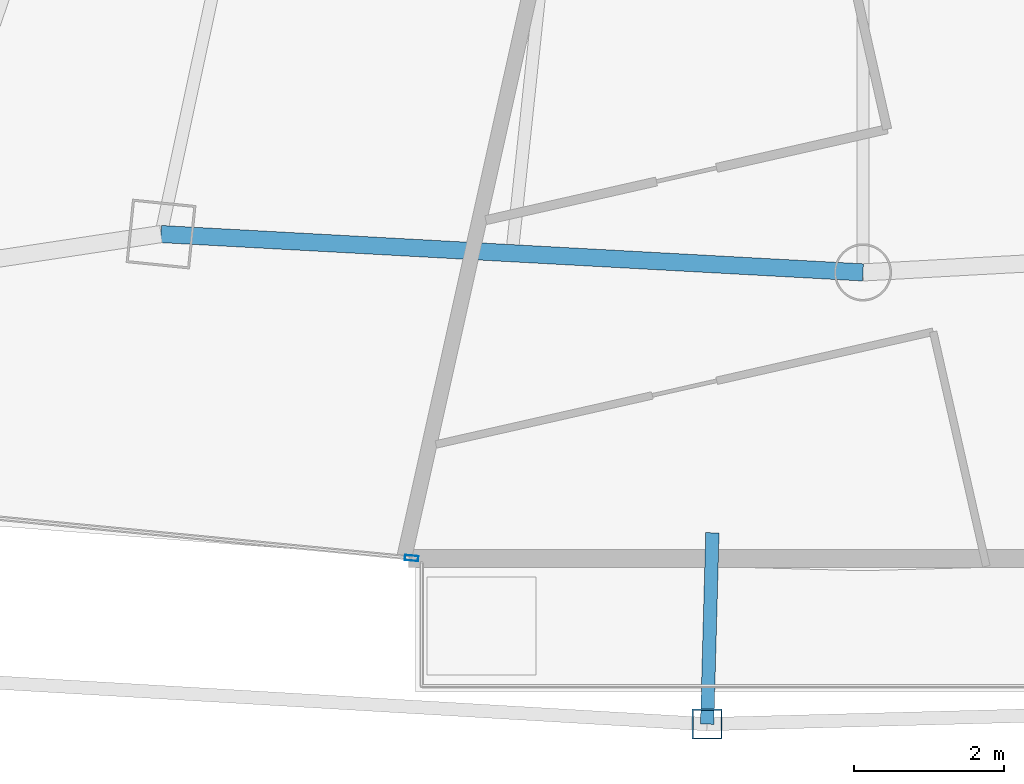
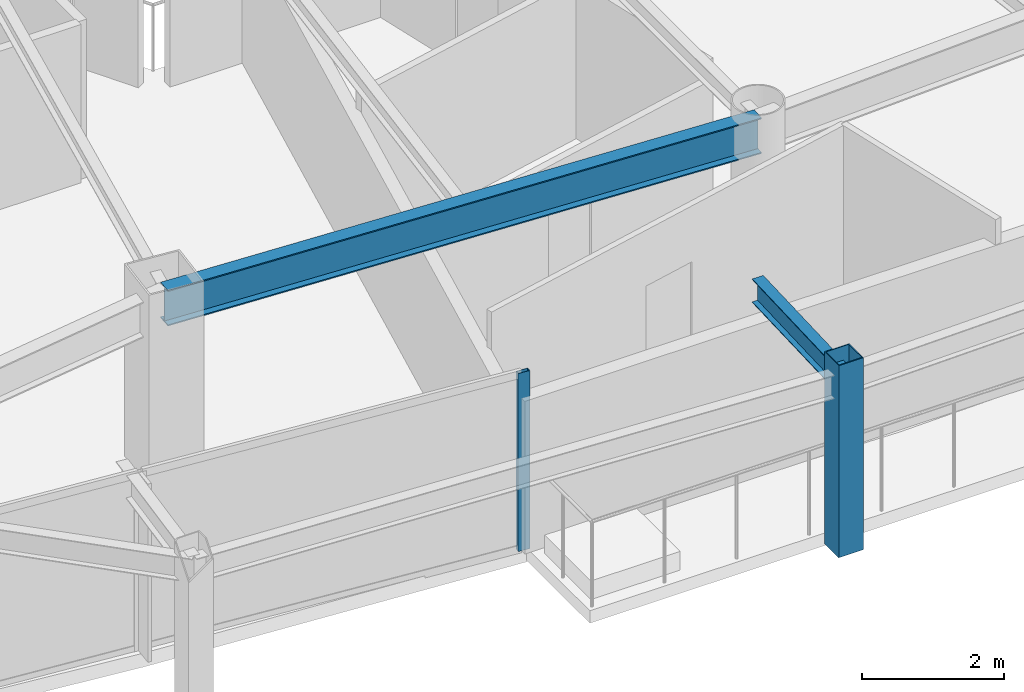
# One storey, part 7 of 33: 2 beams, 2 members, 1 element without a shape of its own.
"""IFC4 building model written with IfcOpenShell, lengths in metres."""

from ifc_helpers import new_model, si_unit, direction, frame, origin, origin_2d, place, context, subcontext, project, spatial, hollow_rectangle, i_section, extrude, material, layer, layer_set, material_profile, profile_set, type_object, element, aggregate, save


model = new_model("IFC4")

# Units and contexts
model_context = context("Model", 3, precision=1e-05, world=origin(), true_north=direction((0.0, 1.0)))
body_context = subcontext(model_context, "Body", "Model", "MODEL_VIEW")
ifc_project = project(units=[si_unit("LENGTHUNIT", "METRE"), si_unit("AREAUNIT", "SQUARE_METRE"), si_unit("VOLUMEUNIT", "CUBIC_METRE"), si_unit("PLANEANGLEUNIT", "RADIAN"), si_unit("MASSUNIT", "GRAM", prefix="KILO")], contexts=[model_context])

# Site, building, storey
site_placement = place(None, origin())
site = spatial("IfcSite", under=ifc_project, at=site_placement, CompositionType="ELEMENT")
building_placement = place(site_placement, origin())
building = spatial("IfcBuilding", under=site, at=building_placement, Name="Orvanel Arch Residences", CompositionType="ELEMENT")
storey_placement = place(building_placement, frame((0.0, 0.0, 116.60009765625)))
storey = spatial("IfcBuildingStorey", under=building, at=storey_placement, Name="L32", CompositionType="ELEMENT", Elevation=116.60009765625)

# Curtain wall, member
ifc_material_1 = material(Name="Bronze-anodised aluminium AA6063-T6", Category="aluminium")
ifc_layer = layer(ifc_material_1, 0.179931640625)
ifc_layer_set = layer_set([ifc_layer], Name="Bronze-anodised aluminium AA6063-T6")
curtain_wall_type = type_object("IfcCurtainWallType", Name="CW3-MID-SYS", PredefinedType="NOTDEFINED", material=ifc_layer_set)
curtain_wall_placement = place(storey_placement, origin())
curtain_wall = element("IfcCurtainWall", 1, at=curtain_wall_placement, inside=storey, type_object=curtain_wall_type, Name="L32 CW3-MID-SYS Unitised Curtain Wall", PredefinedType="NOTDEFINED")
ifc_material_profile_1 = material_profile(ifc_material_1, hollow_rectangle(XDim=0.070068359375, YDim=0.179931640625, WallThickness=0.00439453125, at=origin_2d()), Name="ALU180x70x4.5")
ifc_profile_set_1 = profile_set([ifc_material_profile_1], Name="Bronze-anodised aluminium AA6063-T6")
member_type_1 = type_object("IfcMemberType", Name="MUL-180x70", PredefinedType="MULLION", material=ifc_profile_set_1)
member_1_placement = place(storey_placement, frame((26.986083984375, 3.038330078125, 0.0), z_axis=(0.0, 0.0, 1.0), x_axis=(0.09620902607, 0.995361152197, 0.0)))
member_1 = element("IfcMember", 2, at=member_1_placement, type_object=member_type_1, Name="CW-S3 mullion 3", PredefinedType="MULLION", context=body_context, shape_type="SweptSolid", body=[
    extrude(hollow_rectangle(XDim=0.070068359375, YDim=0.179931640625, WallThickness=0.00439453125, at=origin_2d()), origin(), (0.0, 0.0, 1.0), 3.059814453125),
])
aggregate(curtain_wall, [member_1])

# Beams
ifc_material_2 = material(Name="Structural steel AS/NZS 3679.1 Grade 300 (300 MPa)", Category="steel")
ifc_material_profile_2 = material_profile(ifc_material_2, i_section(OverallWidth=0.177978515625, OverallDepth=0.406005859375, WebThickness=0.0078125, FlangeThickness=0.0126953125, at=origin_2d()), Name="410UB59.7")
ifc_profile_set_2 = profile_set([ifc_material_profile_2], Name="Structural steel AS/NZS 3679.1 Grade 300 (300 MPa)")
beam_type_1 = type_object("IfcBeamType", Name="OB-410UB-EXT", PredefinedType="SPANDREL", material=ifc_profile_set_2)
beam_1_placement = place(storey_placement, frame((30.993896484375, 3.375, 2.85693359375), z_axis=(-0.027381741619, -0.999625049819, 0.0), x_axis=(0.999625049819, -0.027381741619, 0.0)))
element("IfcBeam", 3, at=beam_1_placement, inside=storey, type_object=beam_type_1, Name="L32 Outer Frame Radial Tie Beam 06", PredefinedType="SPANDREL", context=body_context, shape_type="SweptSolid", body=[
    extrude(i_section(OverallWidth=0.177978515625, OverallDepth=0.406005859375, WebThickness=0.0078125, FlangeThickness=0.0126953125, at=origin_2d()), origin(), (0.0, 0.0, 1.0), 2.550048828125),
])
ifc_material_profile_3 = material_profile(ifc_material_2, i_section(OverallWidth=0.22900390625, OverallDepth=0.612060546875, WebThickness=0.011962890625, FlangeThickness=0.01953125, at=origin_2d()), Name="610UB125")
ifc_profile_set_3 = profile_set([ifc_material_profile_3], Name="Structural steel AS/NZS 3679.1 Grade 300 (300 MPa)")
beam_type_2 = type_object("IfcBeamType", Name="SP-610UB", PredefinedType="SPANDREL", material=ifc_profile_set_3)
beam_2_placement = place(storey_placement, frame((23.64892578125, 7.35498046875, 2.75390625), z_axis=(0.998510315598, -0.054563262768, 0.0), x_axis=(0.054563262768, 0.998510315598, 0.0)))
element("IfcBeam", 4, at=beam_2_placement, inside=storey, type_object=beam_type_2, Name="L32 Perimeter Spandrel Beam 05", PredefinedType="SPANDREL", context=body_context, shape_type="SweptSolid", body=[
    extrude(i_section(OverallWidth=0.22900390625, OverallDepth=0.612060546875, WebThickness=0.011962890625, FlangeThickness=0.01953125, at=origin_2d()), origin(), (0.0, 0.0, 1.0), 9.364990234375),
])

# Member
ifc_material_3 = material(Name="Structural steel AS/NZS 1163 C450L0 (Grade 450)", Category="steel")
ifc_material_profile_4 = material_profile(ifc_material_3, hollow_rectangle(XDim=0.39990234375, YDim=0.39990234375, WallThickness=0.01611328125, at=origin_2d()), Name="SHS400x400x16")
ifc_profile_set_4 = profile_set([ifc_material_profile_4], Name="Structural steel AS/NZS 1163 C450L0 (Grade 450)")
member_type_2 = type_object("IfcMemberType", Name="ST-400SHS-EXT", PredefinedType="STRUT", material=ifc_profile_set_4)
member_2_placement = place(storey_placement, frame((30.924072265625, 0.825927734375, 0.0), z_axis=(0.0, 0.0, 1.0), x_axis=(1.0, 0.0, 0.0)))
element("IfcMember", 5, at=member_2_placement, inside=storey, type_object=member_type_2, Name="L32 Outer Perimeter Frame Post 06", PredefinedType="STRUT", context=body_context, shape_type="SweptSolid", body=[
    extrude(hollow_rectangle(XDim=0.39990234375, YDim=0.39990234375, WallThickness=0.01611328125, at=origin_2d()), origin(), (0.0, 0.0, 1.0), 3.2998046875),
])

save(model, "model.ifc")
